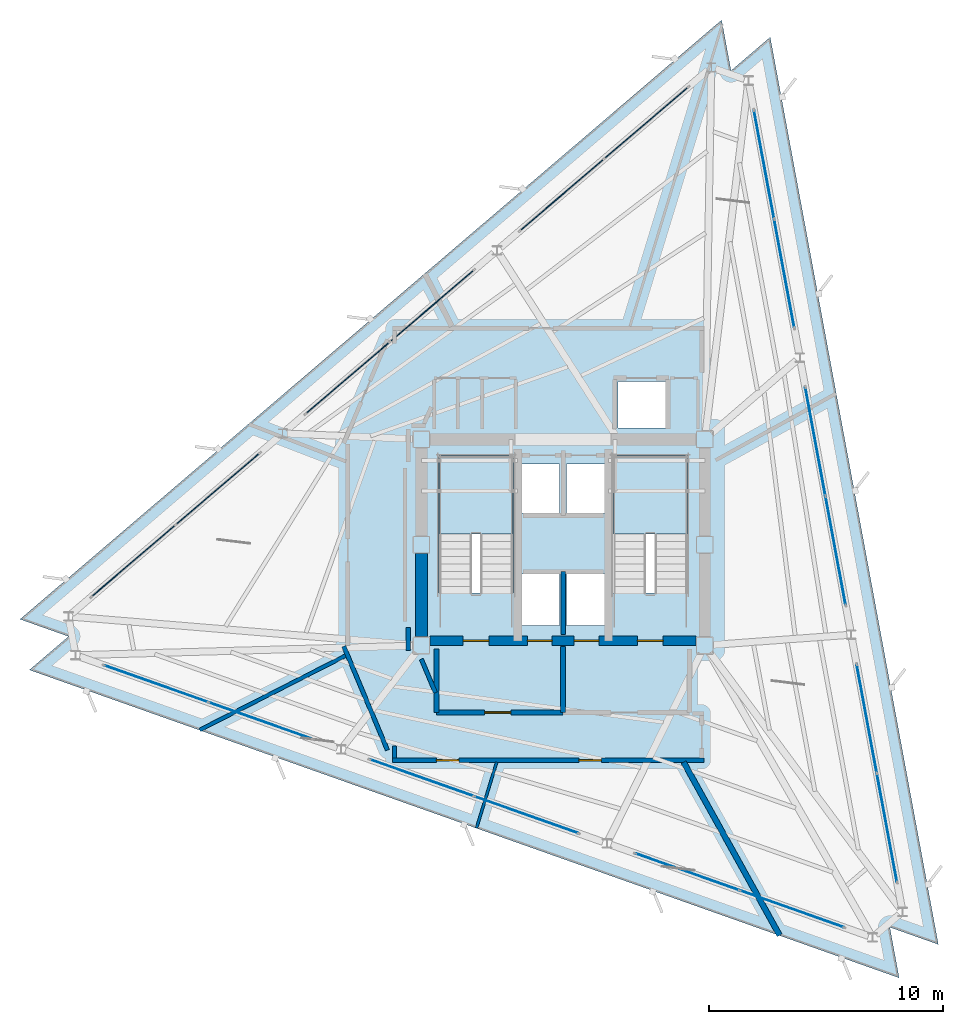
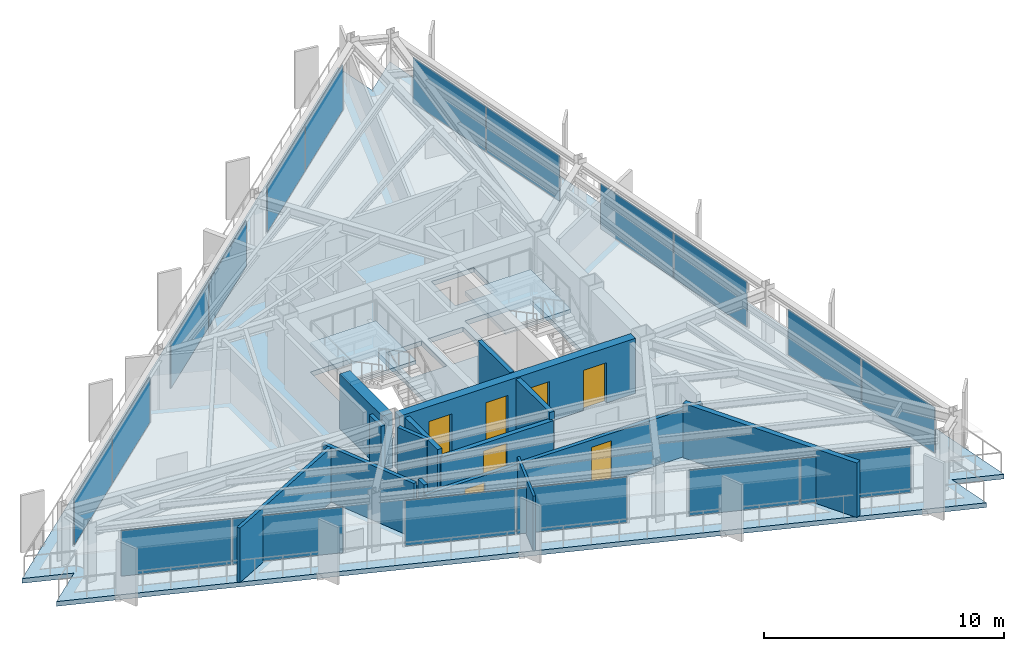
# One storey, part 8 of 14: 18 plates, 14 walls, 7 doors, 3 slabs, 7 openings, 11 elements without a shape of their own.
"""IFC4 building model written with IfcOpenShell, lengths in metres."""

from ifc_helpers import new_model, si_unit, direction, frame, frame_2d, origin, origin_2d, place, context, subcontext, project, spatial, polyline, rectangle, outline, extrude, material, layer, layer_set, type_object, element, fill, aggregate, save


model = new_model("IFC4")

# Units and contexts
model_context = context("Model", 3, precision=1e-05, world=origin(), true_north=direction((0.0, 1.0)))
body_context = subcontext(model_context, "Body", "Model", "MODEL_VIEW")
ifc_project = project(units=[si_unit("LENGTHUNIT", "METRE"), si_unit("AREAUNIT", "SQUARE_METRE"), si_unit("VOLUMEUNIT", "CUBIC_METRE"), si_unit("PLANEANGLEUNIT", "RADIAN"), si_unit("MASSUNIT", "GRAM", prefix="KILO")], contexts=[model_context])

# Site, building, storey
site_placement = place(None, origin())
site = spatial("IfcSite", under=ifc_project, at=site_placement, CompositionType="ELEMENT")
building_placement = place(site_placement, origin())
building = spatial("IfcBuilding", under=site, at=building_placement, Name="Rocaltana Carrier Exchange", CompositionType="ELEMENT")
storey_placement = place(building_placement, frame((0.0, 0.0, 181.43994140625)))
storey = spatial("IfcBuildingStorey", under=building, at=storey_placement, Name="L57", CompositionType="ELEMENT", Elevation=181.43994140625)

# Curtain wall, plates
ifc_material_1 = material(Name="Aluminium 6063-T6", Category="aluminium")
ifc_layer_1 = layer(ifc_material_1, 0.135009765625)
ifc_layer_set_1 = layer_set([ifc_layer_1], Name="Aluminium 6063-T6")
curtain_wall_type = type_object("IfcCurtainWallType", Name="Upper-Mid Acoustic Curtain Wall CW-04", PredefinedType="NOTDEFINED", material=ifc_layer_set_1)
curtain_wall_1_placement = place(storey_placement, origin())
curtain_wall_1 = element("IfcCurtainWall", 1, at=curtain_wall_1_placement, inside=storey, type_object=curtain_wall_type, Name="L57 CW-04 Run CW-L57-F1S1", PredefinedType="NOTDEFINED")
ifc_material_2 = material(Name="Tempered Laminated Glass", Category="glass")
ifc_layer_2 = layer(ifc_material_2, 0.0380859375)
ifc_layer_set_2 = layer_set([ifc_layer_2], Name="Tempered Laminated Glass")
plate_type = type_object("IfcPlateType", Name="CW-04 Stone-Insulated Vision Panel", PredefinedType="CURTAIN_PANEL", material=ifc_layer_set_2)
plate_1_placement = place(storey_placement, frame((13.827392578125, -12.0830078125, 0.06494140625), z_axis=(0.0, 0.0, 1.0), x_axis=(-0.182234247149, 0.98325514449, 0.0)))
plate_1 = element("IfcPlate", 2, at=plate_1_placement, type_object=plate_type, Name="CW-04 panel 1.1", PredefinedType="CURTAIN_PANEL", context=body_context, shape_type="SweptSolid", body=[
    extrude(rectangle(XDim=4.669189453125, YDim=0.0380859375, at=origin_2d()), origin(), (0.0, 0.0, 1.0), 2.318115234375),
])
plate_2_placement = place(storey_placement, frame((12.964599609375, -7.427978515625, 0.06494140625), z_axis=(0.0, 0.0, 1.0), x_axis=(-0.182234247149, 0.98325514449, 0.0)))
plate_2 = element("IfcPlate", 3, at=plate_2_placement, type_object=plate_type, Name="CW-04 panel 2.1", PredefinedType="CURTAIN_PANEL", context=body_context, shape_type="SweptSolid", body=[
    extrude(rectangle(XDim=4.669189453125, YDim=0.0380859375, at=origin_2d()), origin(), (0.0, 0.0, 1.0), 2.318115234375),
])
aggregate(curtain_wall_1, [plate_1, plate_2])

curtain_wall_2_placement = place(storey_placement, origin())
curtain_wall_2 = element("IfcCurtainWall", 4, at=curtain_wall_2_placement, inside=storey, type_object=curtain_wall_type, Name="L57 CW-04 Run CW-L57-F1S2", PredefinedType="NOTDEFINED")
plate_3_placement = place(storey_placement, frame((11.634521484375, -0.2509765625, 0.06494140625), z_axis=(0.0, 0.0, 1.0), x_axis=(-0.182236126712, 0.983254796134, 0.0)))
plate_3 = element("IfcPlate", 5, at=plate_3_placement, type_object=plate_type, Name="CW-04 panel 1.1", PredefinedType="CURTAIN_PANEL", context=body_context, shape_type="SweptSolid", body=[
    extrude(rectangle(XDim=4.669189453125, YDim=0.0380859375, at=origin_2d()), origin(), (0.0, 0.0, 1.0), 2.318115234375),
])
plate_4_placement = place(storey_placement, frame((10.771728515625, 4.40380859375, 0.06494140625), z_axis=(0.0, 0.0, 1.0), x_axis=(-0.182236126712, 0.983254796134, 0.0)))
plate_4 = element("IfcPlate", 6, at=plate_4_placement, type_object=plate_type, Name="CW-04 panel 2.1", PredefinedType="CURTAIN_PANEL", context=body_context, shape_type="SweptSolid", body=[
    extrude(rectangle(XDim=4.669189453125, YDim=0.0380859375, at=origin_2d()), origin(), (0.0, 0.0, 1.0), 2.318115234375),
])
aggregate(curtain_wall_2, [plate_3, plate_4])

curtain_wall_3_placement = place(storey_placement, origin())
curtain_wall_3 = element("IfcCurtainWall", 7, at=curtain_wall_3_placement, inside=storey, type_object=curtain_wall_type, Name="L57 CW-04 Run CW-L57-F1S3", PredefinedType="NOTDEFINED")
plate_5_placement = place(storey_placement, frame((9.441650390625, 11.580810546875, 0.06494140625), z_axis=(0.0, 0.0, 1.0), x_axis=(-0.182236126712, 0.983254796134, 0.0)))
plate_5 = element("IfcPlate", 8, at=plate_5_placement, type_object=plate_type, Name="CW-04 panel 1.1", PredefinedType="CURTAIN_PANEL", context=body_context, shape_type="SweptSolid", body=[
    extrude(rectangle(XDim=4.669189453125, YDim=0.0380859375, at=origin_2d()), origin(), (0.0, 0.0, 1.0), 2.318115234375),
])
plate_6_placement = place(storey_placement, frame((8.578857421875, 16.235595703125, 0.06494140625), z_axis=(0.0, 0.0, 1.0), x_axis=(-0.182236126712, 0.983254796134, 0.0)))
plate_6 = element("IfcPlate", 9, at=plate_6_placement, type_object=plate_type, Name="CW-04 panel 2.1", PredefinedType="CURTAIN_PANEL", context=body_context, shape_type="SweptSolid", body=[
    extrude(rectangle(XDim=4.669189453125, YDim=0.0380859375, at=origin_2d()), origin(), (0.0, 0.0, 1.0), 2.318115234375),
])
aggregate(curtain_wall_3, [plate_5, plate_6])

curtain_wall_4_placement = place(storey_placement, origin())
curtain_wall_4 = element("IfcCurtainWall", 10, at=curtain_wall_4_placement, inside=storey, type_object=curtain_wall_type, Name="L57 CW-04 Run CW-L57-F2S1", PredefinedType="NOTDEFINED")
plate_7_placement = place(storey_placement, frame((3.55029296875, 18.016357421875, 0.06494140625), z_axis=(0.0, 0.0, 1.0), x_axis=(-0.760406053922, -0.649447944918, 0.0)))
plate_7 = element("IfcPlate", 11, at=plate_7_placement, type_object=plate_type, Name="CW-04 panel 1.1", PredefinedType="CURTAIN_PANEL", context=body_context, shape_type="SweptSolid", body=[
    extrude(rectangle(XDim=4.669189453125, YDim=0.0380859375, at=origin_2d()), origin(), (0.0, 0.0, 1.0), 2.318115234375),
])
plate_8_placement = place(storey_placement, frame((-0.049560546875, 14.94189453125, 0.06494140625), z_axis=(0.0, 0.0, 1.0), x_axis=(-0.760406053922, -0.649447944918, 0.0)))
plate_8 = element("IfcPlate", 12, at=plate_8_placement, type_object=plate_type, Name="CW-04 panel 2.1", PredefinedType="CURTAIN_PANEL", context=body_context, shape_type="SweptSolid", body=[
    extrude(rectangle(XDim=4.669189453125, YDim=0.0380859375, at=origin_2d()), origin(), (0.0, 0.0, 1.0), 2.318115234375),
])
aggregate(curtain_wall_4, [plate_7, plate_8])

curtain_wall_5_placement = place(storey_placement, origin())
curtain_wall_5 = element("IfcCurtainWall", 13, at=curtain_wall_5_placement, inside=storey, type_object=curtain_wall_type, Name="L57 CW-04 Run CW-L57-F2S2", PredefinedType="NOTDEFINED")
plate_9_placement = place(storey_placement, frame((-5.599853515625, 10.201416015625, 0.06494140625), z_axis=(0.0, 0.0, 1.0), x_axis=(-0.760400873756, -0.649454010067, 0.0)))
plate_9 = element("IfcPlate", 14, at=plate_9_placement, type_object=plate_type, Name="CW-04 panel 1.1", PredefinedType="CURTAIN_PANEL", context=body_context, shape_type="SweptSolid", body=[
    extrude(rectangle(XDim=4.669189453125, YDim=0.0380859375, at=origin_2d()), origin(), (0.0, 0.0, 1.0), 2.318115234375),
])
plate_10_placement = place(storey_placement, frame((-9.19970703125, 7.126708984375, 0.06494140625), z_axis=(0.0, 0.0, 1.0), x_axis=(-0.760400873756, -0.649454010067, 0.0)))
plate_10 = element("IfcPlate", 15, at=plate_10_placement, type_object=plate_type, Name="CW-04 panel 2.1", PredefinedType="CURTAIN_PANEL", context=body_context, shape_type="SweptSolid", body=[
    extrude(rectangle(XDim=4.669189453125, YDim=0.0380859375, at=origin_2d()), origin(), (0.0, 0.0, 1.0), 2.318115234375),
])
aggregate(curtain_wall_5, [plate_9, plate_10])

curtain_wall_6_placement = place(storey_placement, origin())
curtain_wall_6 = element("IfcCurtainWall", 16, at=curtain_wall_6_placement, inside=storey, type_object=curtain_wall_type, Name="L57 CW-04 Run CW-L57-F2S3", PredefinedType="NOTDEFINED")
plate_11_placement = place(storey_placement, frame((-14.75, 2.38623046875, 0.06494140625), z_axis=(0.0, 0.0, 1.0), x_axis=(-0.760406053922, -0.649447944918, 0.0)))
plate_11 = element("IfcPlate", 17, at=plate_11_placement, type_object=plate_type, Name="CW-04 panel 1.1", PredefinedType="CURTAIN_PANEL", context=body_context, shape_type="SweptSolid", body=[
    extrude(rectangle(XDim=4.669189453125, YDim=0.0380859375, at=origin_2d()), origin(), (0.0, 0.0, 1.0), 2.318115234375),
])
plate_12_placement = place(storey_placement, frame((-18.349853515625, -0.688232421875, 0.06494140625), z_axis=(0.0, 0.0, 1.0), x_axis=(-0.760406053922, -0.649447944918, 0.0)))
plate_12 = element("IfcPlate", 18, at=plate_12_placement, type_object=plate_type, Name="CW-04 panel 2.1", PredefinedType="CURTAIN_PANEL", context=body_context, shape_type="SweptSolid", body=[
    extrude(rectangle(XDim=4.669189453125, YDim=0.0380859375, at=origin_2d()), origin(), (0.0, 0.0, 1.0), 2.318115234375),
])
aggregate(curtain_wall_6, [plate_11, plate_12])

curtain_wall_7_placement = place(storey_placement, origin())
curtain_wall_7 = element("IfcCurtainWall", 19, at=curtain_wall_7_placement, inside=storey, type_object=curtain_wall_type, Name="L57 CW-04 Run CW-L57-F3S1", PredefinedType="NOTDEFINED")
plate_13_placement = place(storey_placement, frame((-17.3779296875, -5.93359375, 0.06494140625), z_axis=(0.0, 0.0, 1.0), x_axis=(0.942645516582, -0.333795491383, 0.0)))
plate_13 = element("IfcPlate", 20, at=plate_13_placement, type_object=plate_type, Name="CW-04 panel 1.1", PredefinedType="CURTAIN_PANEL", context=body_context, shape_type="SweptSolid", body=[
    extrude(rectangle(XDim=4.669189453125, YDim=0.0380859375, at=origin_2d()), origin(), (0.0, 0.0, 1.0), 2.318115234375),
])
plate_14_placement = place(storey_placement, frame((-12.915283203125, -7.513671875, 0.06494140625), z_axis=(0.0, 0.0, 1.0), x_axis=(0.942645516582, -0.333795491383, 0.0)))
plate_14 = element("IfcPlate", 21, at=plate_14_placement, type_object=plate_type, Name="CW-04 panel 2.1", PredefinedType="CURTAIN_PANEL", context=body_context, shape_type="SweptSolid", body=[
    extrude(rectangle(XDim=4.669189453125, YDim=0.0380859375, at=origin_2d()), origin(), (0.0, 0.0, 1.0), 2.318115234375),
])
aggregate(curtain_wall_7, [plate_13, plate_14])

curtain_wall_8_placement = place(storey_placement, origin())
curtain_wall_8 = element("IfcCurtainWall", 22, at=curtain_wall_8_placement, inside=storey, type_object=curtain_wall_type, Name="L57 CW-04 Run CW-L57-F3S2", PredefinedType="NOTDEFINED")
plate_15_placement = place(storey_placement, frame((-6.03466796875, -9.9501953125, 0.06494140625), z_axis=(0.0, 0.0, 1.0), x_axis=(0.942644347833, -0.333798791936, 0.0)))
plate_15 = element("IfcPlate", 23, at=plate_15_placement, type_object=plate_type, Name="CW-04 panel 1.1", PredefinedType="CURTAIN_PANEL", context=body_context, shape_type="SweptSolid", body=[
    extrude(rectangle(XDim=4.669189453125, YDim=0.0380859375, at=origin_2d()), origin(), (0.0, 0.0, 1.0), 2.318115234375),
])
plate_16_placement = place(storey_placement, frame((-1.572021484375, -11.530517578125, 0.06494140625), z_axis=(0.0, 0.0, 1.0), x_axis=(0.942644347833, -0.333798791936, 0.0)))
plate_16 = element("IfcPlate", 24, at=plate_16_placement, type_object=plate_type, Name="CW-04 panel 2.1", PredefinedType="CURTAIN_PANEL", context=body_context, shape_type="SweptSolid", body=[
    extrude(rectangle(XDim=4.669189453125, YDim=0.0380859375, at=origin_2d()), origin(), (0.0, 0.0, 1.0), 2.318115234375),
])
aggregate(curtain_wall_8, [plate_15, plate_16])

curtain_wall_9_placement = place(storey_placement, origin())
curtain_wall_9 = element("IfcCurtainWall", 25, at=curtain_wall_9_placement, inside=storey, type_object=curtain_wall_type, Name="L57 CW-04 Run CW-L57-F3S3", PredefinedType="NOTDEFINED")
plate_17_placement = place(storey_placement, frame((5.308349609375, -13.967041015625, 0.06494140625), z_axis=(0.0, 0.0, 1.0), x_axis=(0.942644347833, -0.333798791936, 0.0)))
plate_17 = element("IfcPlate", 26, at=plate_17_placement, type_object=plate_type, Name="CW-04 panel 1.1", PredefinedType="CURTAIN_PANEL", context=body_context, shape_type="SweptSolid", body=[
    extrude(rectangle(XDim=4.669189453125, YDim=0.0380859375, at=origin_2d()), origin(), (0.0, 0.0, 1.0), 2.318115234375),
])
plate_18_placement = place(storey_placement, frame((9.77099609375, -15.54736328125, 0.06494140625), z_axis=(0.0, 0.0, 1.0), x_axis=(0.942644347833, -0.333798791936, 0.0)))
plate_18 = element("IfcPlate", 27, at=plate_18_placement, type_object=plate_type, Name="CW-04 panel 2.1", PredefinedType="CURTAIN_PANEL", context=body_context, shape_type="SweptSolid", body=[
    extrude(rectangle(XDim=4.669189453125, YDim=0.0380859375, at=origin_2d()), origin(), (0.0, 0.0, 1.0), 2.318115234375),
])
aggregate(curtain_wall_9, [plate_17, plate_18])

# Slab
ifc_material_3 = material(Name="Concrete C50/60", Category="concrete")
ifc_layer_3 = layer(ifc_material_3, 0.239990234375)
ifc_layer_set_3 = layer_set([ifc_layer_3], Name="Concrete C50/60")
slab_type_1 = type_object("IfcSlabType", Name="High-Zone Tower Slab 240", PredefinedType="FLOOR", material=ifc_layer_set_3)
slab_1_placement = place(storey_placement, frame((0.0, 0.0, -0.239990234375)))
element("IfcSlab", 28, at=slab_1_placement, inside=storey, type_object=slab_type_1, Name="L57 Structural Floor Slab", PredefinedType="FLOOR", context=body_context, shape_type="SweptSolid", body=[
    extrude(outline(polyline([(14.349365234375, -18.49462890625), (13.948486328125, -16.33154296875), (16.022216796875, -17.06591796875), (8.84228515625, 21.67431640625), (7.169189453125, 20.24560546875), (6.768310546875, 22.40869140625), (-23.191650390625, -3.1796875), (-21.117919921875, -3.9140625), (-22.790771484375, -5.3427734375), (14.349365234375, -18.49462890625)]), holes=[polyline([(-5.300048828125, -2.06005859375), (-2.139892578125, -2.06005859375), (-2.139892578125, 3.800048828125), (-5.300048828125, 3.800048828125), (-5.300048828125, -2.06005859375)]), polyline([(2.139892578125, -2.06005859375), (5.300048828125, -2.06005859375), (5.300048828125, 3.800048828125), (2.139892578125, 3.800048828125), (2.139892578125, -2.06005859375)]), polyline([(-1.85009765625, -3.449951171875), (-0.14990234375, -3.449951171875), (-0.14990234375, -1.25), (-1.85009765625, -1.25), (-1.85009765625, -3.449951171875)]), polyline([(0.14990234375, -3.449951171875), (1.85009765625, -3.449951171875), (1.85009765625, -1.25), (0.14990234375, -1.25), (0.14990234375, -3.449951171875)]), polyline([(2.35009765625, 4.97998046875), (4.39990234375, 4.97998046875), (4.39990234375, 6.97998046875), (2.35009765625, 6.97998046875), (2.35009765625, 4.97998046875)]), polyline([(-1.85009765625, 1.35009765625), (-0.14990234375, 1.35009765625), (-0.14990234375, 3.449951171875), (-1.85009765625, 3.449951171875), (-1.85009765625, 1.35009765625)]), polyline([(0.14990234375, 1.35009765625), (1.85009765625, 1.35009765625), (1.85009765625, 3.449951171875), (0.14990234375, 3.449951171875), (0.14990234375, 1.35009765625)])]), origin(), (0.0, 0.0, 1.0), 0.239990234375),
])

# Stair, slab
ifc_material_4 = material(Name="Precast concrete C45/55", Category="concrete")
stair_type = type_object("IfcStairType", Name="Standard Dog-Leg Stair 160", PredefinedType="HALF_TURN_STAIR", material=ifc_material_4)
stair_1_placement = place(storey_placement, origin())
stair_1 = element("IfcStair", 29, at=stair_1_placement, inside=storey, type_object=stair_type, Name="L57 Core West Exit Stair ST-1", PredefinedType="HALF_TURN_STAIR")
ifc_material_5 = material(Name="Precast concrete C45/55", Category="concrete")
ifc_layer_4 = layer(ifc_material_5, 0.199951171875)
ifc_layer_set_4 = layer_set([ifc_layer_4], Name="Precast concrete C45/55")
slab_type_2 = type_object("IfcSlabType", Name="Precast Stair Half-Landing 200", PredefinedType="LANDING", material=ifc_layer_set_4)
slab_2_placement = place(storey_placement, frame((0.0, 0.0, 1.320068359375)))
slab_2 = element("IfcSlab", 30, at=slab_2_placement, type_object=slab_type_2, Name="ST-1 landing 1", PredefinedType="LANDING", context=body_context, shape_type="SweptSolid", body=[
    extrude(outline(polyline([(-2.139892578125, 0.4599609375), (-2.139892578125, 3.800048828125), (-5.300048828125, 3.800048828125), (-5.300048828125, 0.4599609375), (-2.139892578125, 0.4599609375)])), origin(), (0.0, 0.0, 1.0), 0.199951171875),
])
aggregate(stair_1, [slab_2])

stair_2_placement = place(storey_placement, origin())
stair_2 = element("IfcStair", 31, at=stair_2_placement, inside=storey, type_object=stair_type, Name="L57 Core East Exit Stair ST-2", PredefinedType="HALF_TURN_STAIR")
slab_3_placement = place(storey_placement, frame((0.0, 0.0, 1.320068359375)))
slab_3 = element("IfcSlab", 32, at=slab_3_placement, type_object=slab_type_2, Name="ST-2 landing 1", PredefinedType="LANDING", context=body_context, shape_type="SweptSolid", body=[
    extrude(outline(polyline([(5.300048828125, 0.4599609375), (5.300048828125, 3.800048828125), (2.139892578125, 3.800048828125), (2.139892578125, 0.4599609375), (5.300048828125, 0.4599609375)])), origin(), (0.0, 0.0, 1.0), 0.199951171875),
])
aggregate(stair_2, [slab_3])

# Wall
ifc_material_6 = material(Name="Double Acoustic Gypsum Partition", Category="gypsum")
ifc_layer_5 = layer(ifc_material_6, 0.159912109375)
ifc_layer_set_5 = layer_set([ifc_layer_5], Name="Double Acoustic Gypsum Partition")
wall_type_1 = type_object("IfcWallType", Name="Acoustic Studio Partition 160 EI60", PredefinedType="PARTITIONING", material=ifc_layer_set_5)
wall_1_placement = place(storey_placement, frame((-9.28564453125, -4.731201171875, 0.0), z_axis=(0.0, 0.0, 1.0), x_axis=(-0.891002207928, -0.453998970778, 0.0)))
element("IfcWall", 33, at=wall_1_placement, inside=storey, type_object=wall_type_1, Name="L57 Suite Divider Wall D1", PredefinedType="PARTITIONING", context=body_context, shape_type="SweptSolid", body=[
    extrude(rectangle(XDim=6.99560546875, YDim=0.159912109375, at=frame_2d((3.497802734375, 0.0))), origin(), (0.0, 0.0, 1.0), 2.77294921875),
])

# Wall, openings, doors
ifc_material_7 = material(Name="Concrete C50/60", Category="concrete")
ifc_layer_6 = layer(ifc_material_7, 0.39990234375)
ifc_layer_set_6 = layer_set([ifc_layer_6], Name="Concrete C50/60")
wall_type_2 = type_object("IfcWallType", Name="Core Internal Shear Wall 400", PredefinedType="SHEAR", material=ifc_layer_set_6)
wall_2_placement = place(storey_placement, frame((-5.675048828125, -4.10009765625, 0.0), z_axis=(0.0, 0.0, 1.0), x_axis=(1.0, 0.0, 0.0)))
wall_2 = element("IfcWall", 34, at=wall_2_placement, inside=storey, type_object=wall_type_2, Name="L57 Core Shear Wall CW-S", PredefinedType="SHEAR", context=body_context, shape_type="SweptSolid", body=[
    extrude(rectangle(XDim=11.35009765625, YDim=0.39990234375, at=frame_2d((5.675048828125, 0.0))), origin(), (0.0, 0.0, 1.0), 2.798095703125),
])
opening_1_placement = place(wall_2_placement, frame((1.405029296875, 0.0, 0.0)))
opening_1 = element("IfcOpeningElement", 35, at=opening_1_placement, cuts=wall_2, Name="Opening D-ST110", PredefinedType="OPENING", context=body_context, shape_type="SweptSolid", body=[
    extrude(rectangle(XDim=1.10009765625, YDim=2.0400390625, at=frame_2d((0.550048828125, 1.02001953125))), frame((0.0, 0.2099609375, 0.0), z_axis=(0.0, -1.0, 0.0), x_axis=(1.0, 0.0, 0.0)), (0.0, 0.0, 1.0), 0.419921875),
])
opening_2_placement = place(wall_2_placement, frame((8.844970703125, 0.0, 0.0)))
opening_2 = element("IfcOpeningElement", 36, at=opening_2_placement, cuts=wall_2, Name="Opening D-ST110", PredefinedType="OPENING", context=body_context, shape_type="SweptSolid", body=[
    extrude(rectangle(XDim=1.10009765625, YDim=2.0400390625, at=frame_2d((0.550048828125, 1.02001953125))), frame((0.0, 0.2099609375, 0.0), z_axis=(0.0, -1.0, 0.0), x_axis=(1.0, 0.0, 0.0)), (0.0, 0.0, 1.0), 0.419921875),
])
opening_3_placement = place(wall_2_placement, frame((4.14501953125, 0.0, 0.0)))
opening_3 = element("IfcOpeningElement", 37, at=opening_3_placement, cuts=wall_2, Name="Opening LD-110", PredefinedType="OPENING", context=body_context, shape_type="SweptSolid", body=[
    extrude(rectangle(XDim=1.06005859375, YDim=2.0400390625, at=frame_2d((0.530029296875, 1.02001953125))), frame((0.0, 0.2099609375, 0.0), z_axis=(0.0, -1.0, 0.0), x_axis=(1.0, 0.0, 0.0)), (0.0, 0.0, 1.0), 0.419921875),
])
opening_4_placement = place(wall_2_placement, frame((6.14501953125, 0.0, 0.0)))
opening_4 = element("IfcOpeningElement", 38, at=opening_4_placement, cuts=wall_2, Name="Opening LD-110", PredefinedType="OPENING", context=body_context, shape_type="SweptSolid", body=[
    extrude(rectangle(XDim=1.06005859375, YDim=2.0400390625, at=frame_2d((0.530029296875, 1.02001953125))), frame((0.0, 0.2099609375, 0.0), z_axis=(0.0, -1.0, 0.0), x_axis=(1.0, 0.0, 0.0)), (0.0, 0.0, 1.0), 0.419921875),
])
ifc_material_8 = material(Name="Hollow Metal Fire Door Assembly", Category="steel")
door_type_1 = type_object("IfcDoorType", Name="Exit Stair Fire Door 1100x2040 FD90S", OperationType="NOTDEFINED", PredefinedType="DOOR", material=ifc_material_8)
door_1_placement = place(opening_1_placement, origin())
door_1 = element("IfcDoor", 39, at=door_1_placement, inside=storey, type_object=door_type_1, Name="L57 Exit Stair ST1 Fire Door", OperationType="SINGLE_SWING_RIGHT", OverallHeight=2.0400390625, OverallWidth=1.10009765625, PredefinedType="DOOR", context=body_context, shape_type="SweptSolid", body=[
    extrude(rectangle(XDim=1.10009765625, YDim=2.0400390625, at=frame_2d((0.550048828125, 1.02001953125))), frame((0.0, 0.02490234375, 0.0), z_axis=(0.0, -1.0, 0.0), x_axis=(1.0, 0.0, 0.0)), (0.0, 0.0, 1.0), 0.050048828125),
])
fill(opening_1, door_1)
door_2_placement = place(opening_2_placement, origin())
door_2 = element("IfcDoor", 40, at=door_2_placement, inside=storey, type_object=door_type_1, Name="L57 Exit Stair ST2 Fire Door", OperationType="SINGLE_SWING_LEFT", OverallHeight=2.0400390625, OverallWidth=1.10009765625, PredefinedType="DOOR", context=body_context, shape_type="SweptSolid", body=[
    extrude(rectangle(XDim=1.10009765625, YDim=2.0400390625, at=frame_2d((0.550048828125, 1.02001953125))), frame((0.0, 0.02490234375, 0.0), z_axis=(0.0, -1.0, 0.0), x_axis=(1.0, 0.0, 0.0)), (0.0, 0.0, 1.0), 0.050048828125),
])
fill(opening_2, door_2)
ifc_material_9 = material(Name="Brushed Stainless Sliding Door Leaf", Category="steel")
door_type_2 = type_object("IfcDoorType", Name="Lift Landing Sliding Door 1060x2040", OperationType="NOTDEFINED", PredefinedType="DOOR", material=ifc_material_9)
door_3_placement = place(opening_3_placement, origin())
door_3 = element("IfcDoor", 41, at=door_3_placement, inside=storey, type_object=door_type_2, Name="L57 Firefighting Lift FFL1 Landing Door", OperationType="SLIDING_TO_LEFT", OverallHeight=2.0400390625, OverallWidth=1.06005859375, PredefinedType="DOOR", context=body_context, shape_type="SweptSolid", body=[
    extrude(rectangle(XDim=1.06005859375, YDim=2.0400390625, at=frame_2d((0.530029296875, 1.02001953125))), frame((0.0, 0.02490234375, 0.0), z_axis=(0.0, -1.0, 0.0), x_axis=(1.0, 0.0, 0.0)), (0.0, 0.0, 1.0), 0.050048828125),
])
fill(opening_3, door_3)
door_4_placement = place(opening_4_placement, origin())
door_4 = element("IfcDoor", 42, at=door_4_placement, inside=storey, type_object=door_type_2, Name="L57 Firefighting Lift FFL2 Landing Door", OperationType="SLIDING_TO_RIGHT", OverallHeight=2.0400390625, OverallWidth=1.06005859375, PredefinedType="DOOR", context=body_context, shape_type="SweptSolid", body=[
    extrude(rectangle(XDim=1.06005859375, YDim=2.0400390625, at=frame_2d((0.530029296875, 1.02001953125))), frame((0.0, 0.02490234375, 0.0), z_axis=(0.0, -1.0, 0.0), x_axis=(1.0, 0.0, 0.0)), (0.0, 0.0, 1.0), 0.050048828125),
])
fill(opening_4, door_4)

# Walls
ifc_material_10 = material(Name="Concrete C50/60", Category="concrete")
ifc_layer_7 = layer(ifc_material_10, 0.5)
ifc_layer_set_7 = layer_set([ifc_layer_7], Name="Concrete C50/60")
wall_type_3 = type_object("IfcWallType", Name="Core Shear Wall 500", PredefinedType="SHEAR", material=ifc_layer_set_7)
wall_3_placement = place(storey_placement, frame((-6.050048828125, -3.925048828125, 0.0), z_axis=(0.0, 0.0, 1.0), x_axis=(0.0, 1.0, 0.0)))
element("IfcWall", 43, at=wall_3_placement, inside=storey, type_object=wall_type_3, Name="L57 Core Shear Wall CW-WS", PredefinedType="SHEAR", context=body_context, shape_type="SweptSolid", body=[
    extrude(rectangle(XDim=3.550048828125, YDim=0.5, at=frame_2d((1.77490234375, 0.0))), origin(), (0.0, 0.0, 1.0), 2.798095703125),
])
ifc_material_11 = material(Name="Gypsum & Steel Stud Partition", Category="steel")
ifc_layer_8 = layer(ifc_material_11, 0.179931640625)
ifc_layer_set_8 = layer_set([ifc_layer_8], Name="Gypsum & Steel Stud Partition")
wall_type_4 = type_object("IfcWallType", Name="Corridor Fire Partition 180 EI60", PredefinedType="PARTITIONING", material=ifc_layer_set_8)
wall_4_placement = place(storey_placement, frame((-7.501220703125, -8.768798828125, 0.0), z_axis=(0.0, 0.0, 1.0), x_axis=(-0.387573945081, 0.921838617706, 0.0)))
element("IfcWall", 44, at=wall_4_placement, inside=storey, type_object=wall_type_4, Name="L57 Corridor Partition 1", PredefinedType="PARTITIONING", context=body_context, shape_type="SweptSolid", body=[
    extrude(rectangle(XDim=4.813232421875, YDim=0.179931640625, at=frame_2d((2.40673828125, 0.0))), origin(), (0.0, 0.0, 1.0), 2.77294921875),
])
wall_5_placement = place(storey_placement, frame((-6.610107421875, -3.541259765625, 0.0), z_axis=(0.0, 0.0, 1.0), x_axis=(0.0, -1.0, 0.0)))
element("IfcWall", 45, at=wall_5_placement, inside=storey, type_object=wall_type_4, Name="L57 Corridor Partition 12", PredefinedType="PARTITIONING", context=body_context, shape_type="SweptSolid", body=[
    extrude(rectangle(XDim=0.978759765625, YDim=0.179931640625, at=frame_2d((0.4892578125, 0.0))), origin(), (0.0, 0.0, 1.0), 2.77294921875),
])
wall_6_placement = place(storey_placement, frame((-6.0546875, -4.881591796875, 0.0), z_axis=(0.0, 0.0, 1.0), x_axis=(0.387579540458, -0.921836265189, 0.0)))
element("IfcWall", 46, at=wall_6_placement, inside=storey, type_object=wall_type_4, Name="L57 Corridor Partition 13", PredefinedType="PARTITIONING", context=body_context, shape_type="SweptSolid", body=[
    extrude(rectangle(XDim=1.5546875, YDim=0.179931640625, at=frame_2d((0.77734375, 0.0))), origin(), (0.0, 0.0, 1.0), 2.77294921875),
])

# Wall, openings, doors
wall_7_placement = place(storey_placement, frame((6.010009765625, -9.199951171875, 0.0), z_axis=(0.0, 0.0, 1.0), x_axis=(-1.0, 0.0, 0.0)))
wall_7 = element("IfcWall", 47, at=wall_7_placement, inside=storey, type_object=wall_type_4, Name="L57 Corridor Partition 16", PredefinedType="PARTITIONING", context=body_context, shape_type="SweptSolid", body=[
    extrude(rectangle(XDim=13.300048828125, YDim=0.179931640625, at=frame_2d((6.64990234375, 0.0))), origin(), (0.0, 0.0, 1.0), 2.39501953125),
])
opening_5_placement = place(wall_7_placement, frame((10.46533203125, 0.0, 0.0)))
opening_5 = element("IfcOpeningElement", 48, at=opening_5_placement, cuts=wall_7, Name="Opening D-RM098", PredefinedType="OPENING", context=body_context, shape_type="SweptSolid", body=[
    extrude(rectangle(XDim=0.9599609375, YDim=2.02001953125, at=frame_2d((0.47998046875, 1.010009765625))), frame((0.0, 0.099853515625, 0.0), z_axis=(0.0, -1.0, 0.0), x_axis=(1.0, 0.0, 0.0)), (0.0, 0.0, 1.0), 0.199951171875),
])
opening_6_placement = place(wall_7_placement, frame((4.373291015625, 0.0, 0.0)))
opening_6 = element("IfcOpeningElement", 49, at=opening_6_placement, cuts=wall_7, Name="Opening D-RM098", PredefinedType="OPENING", context=body_context, shape_type="SweptSolid", body=[
    extrude(rectangle(XDim=0.9599609375, YDim=2.02001953125, at=frame_2d((0.47998046875, 1.010009765625))), frame((0.0, 0.099853515625, 0.0), z_axis=(0.0, -1.0, 0.0), x_axis=(1.0, 0.0, 0.0)), (0.0, 0.0, 1.0), 0.199951171875),
])
ifc_material_12 = material(Name="Engineered Hardwood Timber", Category="wood")
door_type_3 = type_object("IfcDoorType", Name="Workspace Single Door 960x2020", OperationType="NOTDEFINED", PredefinedType="DOOR", material=ifc_material_12)
door_5_placement = place(opening_5_placement, origin())
door_5 = element("IfcDoor", 50, at=door_5_placement, inside=storey, type_object=door_type_3, Name="L57 Staff Break Pantry Entrance Door", OperationType="SINGLE_SWING_LEFT", OverallHeight=2.02001953125, OverallWidth=0.9599609375, PredefinedType="DOOR", context=body_context, shape_type="SweptSolid", body=[
    extrude(rectangle(XDim=0.9599609375, YDim=2.02001953125, at=frame_2d((0.47998046875, 1.010009765625))), frame((0.0, 0.02490234375, 0.0), z_axis=(0.0, -1.0, 0.0), x_axis=(1.0, 0.0, 0.0)), (0.0, 0.0, 1.0), 0.050048828125),
])
fill(opening_5, door_5)
door_6_placement = place(opening_6_placement, origin())
door_6 = element("IfcDoor", 51, at=door_6_placement, inside=storey, type_object=door_type_3, Name="L57 Client Reception Foyer Entrance Door", OperationType="SINGLE_SWING_RIGHT", OverallHeight=2.02001953125, OverallWidth=0.9599609375, PredefinedType="DOOR", context=body_context, shape_type="SweptSolid", body=[
    extrude(rectangle(XDim=0.9599609375, YDim=2.02001953125, at=frame_2d((0.47998046875, 1.010009765625))), frame((0.0, 0.02490234375, 0.0), z_axis=(0.0, -1.0, 0.0), x_axis=(1.0, 0.0, 0.0)), (0.0, 0.0, 1.0), 0.050048828125),
])
fill(opening_6, door_6)

# Walls
wall_8_placement = place(storey_placement, frame((-7.199951171875, -9.110107421875, 0.0), z_axis=(0.0, 0.0, 1.0), x_axis=(0.0, 1.0, 0.0)))
element("IfcWall", 52, at=wall_8_placement, inside=storey, type_object=wall_type_4, Name="L57 Corridor Partition 17", PredefinedType="PARTITIONING", context=body_context, shape_type="SweptSolid", body=[
    extrude(rectangle(XDim=0.509521484375, YDim=0.179931640625, at=frame_2d((0.2548828125, 0.0))), origin(), (0.0, 0.0, 1.0), 2.77294921875),
])
ifc_material_13 = material(Name="Aluminium 6063-T6 & Acoustic Glass", Category="aluminium")
ifc_layer_9 = layer(ifc_material_13, 0.114990234375)
ifc_layer_set_9 = layer_set([ifc_layer_9], Name="Aluminium 6063-T6 & Acoustic Glass")
wall_type_5 = type_object("IfcWallType", Name="Demountable Glazed Lab Partition 115", PredefinedType="MOVABLE", material=ifc_layer_set_9)
wall_9_placement = place(storey_placement, frame((-2.837158203125, -9.280029296875, 0.0), z_axis=(0.0, 0.0, 1.0), x_axis=(-0.292353462598, -0.95631033295, 0.0)))
element("IfcWall", 53, at=wall_9_placement, inside=storey, type_object=wall_type_5, Name="L57 Suite Divider Wall D2", PredefinedType="MOVABLE", context=body_context, shape_type="SweptSolid", body=[
    extrude(rectangle(XDim=2.94189453125, YDim=0.114990234375, at=frame_2d((1.470947265625, 0.0))), origin(), (0.0, 0.0, 1.0), 2.77294921875),
])
ifc_material_14 = material(Name="Autoclaved Aerated Concrete C30/37", Category="concrete")
ifc_layer_10 = layer(ifc_material_14, 0.219970703125)
ifc_layer_set_10 = layer_set([ifc_layer_10], Name="Autoclaved Aerated Concrete C30/37")
wall_type_6 = type_object("IfcWallType", Name="Firefighting Lobby Wall 220 EI120", PredefinedType="PARTITIONING", material=ifc_layer_set_10)
wall_10_placement = place(storey_placement, frame((-5.39990234375, -7.159912109375, 0.0), z_axis=(0.0, 0.0, 1.0), x_axis=(0.0, 1.0, 0.0)))
element("IfcWall", 54, at=wall_10_placement, inside=storey, type_object=wall_type_6, Name="L57 FFL Lobby 1 West Wall", PredefinedType="PARTITIONING", context=body_context, shape_type="SweptSolid", body=[
    extrude(rectangle(XDim=2.7099609375, YDim=0.219970703125, at=frame_2d((1.35498046875, 0.0))), origin(), (0.0, 0.0, 1.0), 2.77294921875),
])
wall_11_placement = place(storey_placement, frame((0.0, -7.159912109375, 0.0), z_axis=(0.0, 0.0, 1.0), x_axis=(0.0, 1.0, 0.0)))
element("IfcWall", 55, at=wall_11_placement, inside=storey, type_object=wall_type_6, Name="L57 FFL Lobby Centre Wall", PredefinedType="PARTITIONING", context=body_context, shape_type="SweptSolid", body=[
    extrude(rectangle(XDim=2.809814453125, YDim=0.219970703125, at=frame_2d((1.40478515625, 0.0))), origin(), (0.0, 0.0, 1.0), 2.77294921875),
])

# Wall, opening, door
wall_12_placement = place(storey_placement, frame((-5.39990234375, -7.159912109375, 0.0), z_axis=(0.0, 0.0, 1.0), x_axis=(1.0, 0.0, 0.0)))
wall_12 = element("IfcWall", 56, at=wall_12_placement, inside=storey, type_object=wall_type_6, Name="L57 FFL Lobby 1 South Wall", PredefinedType="PARTITIONING", context=body_context, shape_type="SweptSolid", body=[
    extrude(rectangle(XDim=5.39990234375, YDim=0.219970703125, at=frame_2d((2.699951171875, 0.0))), origin(), (0.0, 0.0, 1.0), 2.39501953125),
])
opening_7_placement = place(wall_12_placement, frame((2.050048828125, 0.0, 0.0)))
opening_7 = element("IfcOpeningElement", 57, at=opening_7_placement, cuts=wall_12, Name="Opening D-FF115", PredefinedType="OPENING", context=body_context, shape_type="SweptSolid", body=[
    extrude(rectangle(XDim=1.1201171875, YDim=2.02001953125, at=frame_2d((0.56005859375, 1.010009765625))), frame((0.0, 0.119873046875, 0.0), z_axis=(0.0, -1.0, 0.0), x_axis=(1.0, 0.0, 0.0)), (0.0, 0.0, 1.0), 0.239990234375),
])
ifc_material_15 = material(Name="Hollow Metal Fire Door Assembly", Category="steel")
door_type_4 = type_object("IfcDoorType", Name="Firefighting Lobby Door 1120x2020 FD60S", OperationType="NOTDEFINED", PredefinedType="DOOR", material=ifc_material_15)
door_7_placement = place(opening_7_placement, origin())
door_7 = element("IfcDoor", 58, at=door_7_placement, inside=storey, type_object=door_type_4, Name="L57 Firefighting Lift Lobby 1 Door", OperationType="SINGLE_SWING_RIGHT", OverallHeight=2.02001953125, OverallWidth=1.1201171875, PredefinedType="DOOR", context=body_context, shape_type="SweptSolid", body=[
    extrude(rectangle(XDim=1.1201171875, YDim=2.02001953125, at=frame_2d((0.56005859375, 1.010009765625))), frame((0.0, 0.02490234375, 0.0), z_axis=(0.0, -1.0, 0.0), x_axis=(1.0, 0.0, 0.0)), (0.0, 0.0, 1.0), 0.050048828125),
])
fill(opening_7, door_7)

# Walls
ifc_material_16 = material(Name="Acoustic Calcium Silicate Partition", Category="gypsum")
ifc_layer_11 = layer(ifc_material_16, 0.239990234375)
ifc_layer_set_11 = layer_set([ifc_layer_11], Name="Acoustic Calcium Silicate Partition")
wall_type_7 = type_object("IfcWallType", Name="Heavy Lab Partition 240 EI90", PredefinedType="PARTITIONING", material=ifc_layer_set_11)
wall_13_placement = place(storey_placement, frame((5.14404296875, -9.280029296875, 0.0), z_axis=(0.0, 0.0, 1.0), x_axis=(0.484804355006, -0.874622625689, 0.0)))
element("IfcWall", 59, at=wall_13_placement, inside=storey, type_object=wall_type_7, Name="L57 Suite Divider Wall D3", PredefinedType="PARTITIONING", context=body_context, shape_type="SweptSolid", body=[
    extrude(rectangle(XDim=8.456298828125, YDim=0.239990234375, at=frame_2d((4.22802734375, 0.0))), origin(), (0.0, 0.0, 1.0), 2.77294921875),
])
ifc_material_17 = material(Name="Reinforced Concrete Block C35/45", Category="concrete")
ifc_layer_12 = layer(ifc_material_17, 0.199951171875)
ifc_layer_set_12 = layer_set([ifc_layer_12], Name="Reinforced Concrete Block C35/45")
wall_type_8 = type_object("IfcWallType", Name="Lift Hoistway Enclosure Wall 200 EI120", PredefinedType="PARTITIONING", material=ifc_layer_set_12)
wall_14_placement = place(storey_placement, frame((0.0, -3.820068359375, 0.0), z_axis=(0.0, 0.0, 1.0), x_axis=(0.0, 1.0, 0.0)))
element("IfcWall", 60, at=wall_14_placement, inside=storey, type_object=wall_type_8, Name="L57 FFL Shaft Divider", PredefinedType="PARTITIONING", context=body_context, shape_type="SweptSolid", body=[
    extrude(rectangle(XDim=2.670166015625, YDim=0.199951171875, at=frame_2d((1.3349609375, 0.0))), origin(), (0.0, 0.0, 1.0), 2.77294921875),
])

save(model, "model.ifc")
